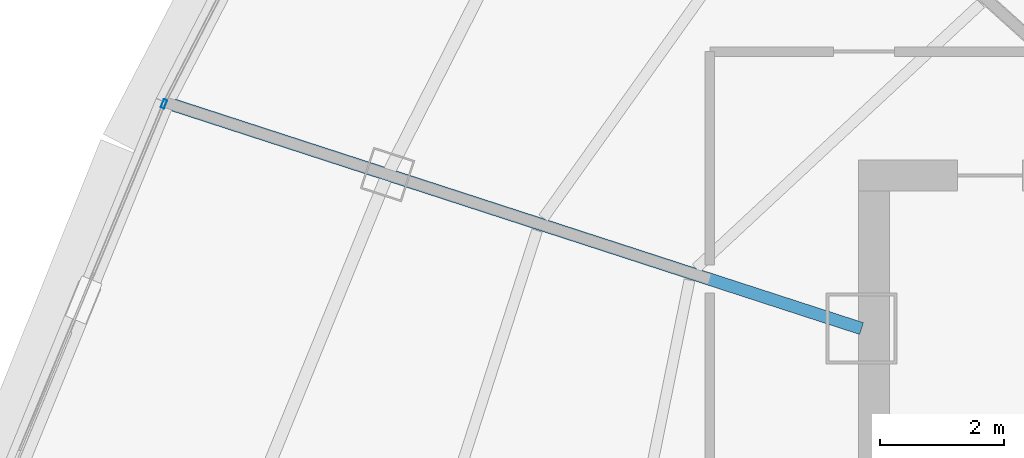
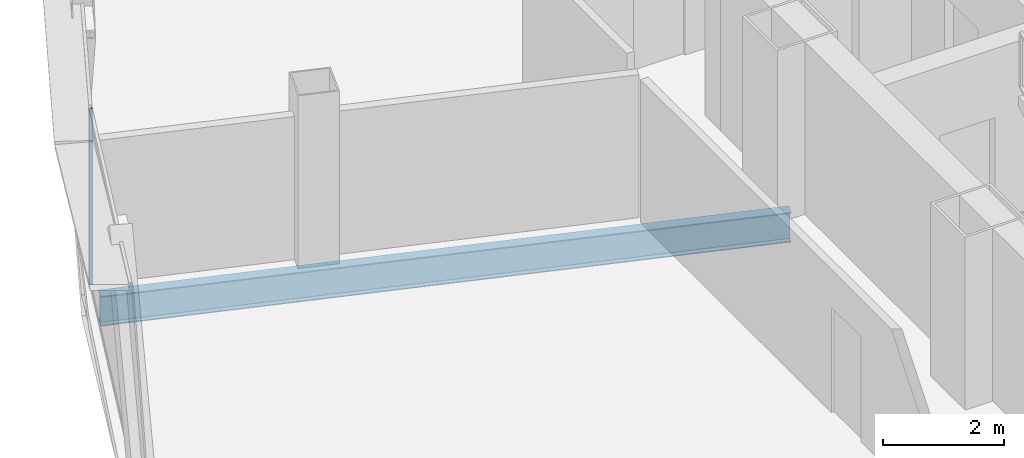
# One storey, part 8 of 33: 1 beam, 1 member, 1 element without a shape of its own.
"""IFC4 building model written with IfcOpenShell, lengths in metres."""

from ifc_helpers import new_model, si_unit, direction, frame, origin, origin_2d, place, context, subcontext, project, spatial, hollow_rectangle, i_section, extrude, source, transform, mapped, material, layer, layer_set, material_profile, profile_set, type_object, element, aggregate, save


model = new_model("IFC4")

# Units and contexts
model_context = context("Model", 3, precision=1e-05, world=origin(), true_north=direction((0.0, 1.0)))
body_context = subcontext(model_context, "Body", "Model", "MODEL_VIEW")
ifc_project = project(units=[si_unit("LENGTHUNIT", "METRE"), si_unit("AREAUNIT", "SQUARE_METRE"), si_unit("VOLUMEUNIT", "CUBIC_METRE"), si_unit("PLANEANGLEUNIT", "RADIAN"), si_unit("MASSUNIT", "GRAM", prefix="KILO"), si_unit("THERMODYNAMICTEMPERATUREUNIT", "KELVIN"), si_unit("POWERUNIT", "WATT")], contexts=[model_context])

# Site, building, storey
site_placement = place(None, origin())
site = spatial("IfcSite", under=ifc_project, at=site_placement, CompositionType="ELEMENT")
building_placement = place(site_placement, origin())
building = spatial("IfcBuilding", under=site, at=building_placement, Name="Yunzhuo Pagoda Commons", CompositionType="ELEMENT")
storey_placement = place(building_placement, frame((0.0, 0.0, 329.260009765625)))
storey = spatial("IfcBuildingStorey", under=building, at=storey_placement, Name="L82", CompositionType="ELEMENT", Elevation=329.260009765625)

# Beam
ifc_material_1 = material(Name="Structural steel Q355B", Category="steel")
ifc_material_profile_1 = material_profile(ifc_material_1, i_section(OverallWidth=0.199951171875, OverallDepth=0.60009765625, WebThickness=0.010986328125, FlangeThickness=0.01708984375, at=origin_2d()), Name="Structural steel Q355B")
ifc_profile_set_1 = profile_set([ifc_material_profile_1], Name="Structural steel Q355B")
beam_type = type_object("IfcBeamType", Name="B-RG3 Beam HN 600x200x11x17", PredefinedType="BEAM", material=ifc_profile_set_1)
shared_shape_1 = source(origin(), body_context, "Body", "SweptSolid", [
    extrude(i_section(OverallWidth=0.199951171875, OverallDepth=0.60009765625, WebThickness=0.010986328125, FlangeThickness=0.01708984375, at=origin_2d()), origin(), (0.0, 0.0, 1.0), 11.67578125),
])
beam_placement = place(storey_placement, frame((24.495849609375, 41.3369140625, -0.56005859375), z_axis=(0.951058498421, -0.309010893953, 0.0), x_axis=(0.309010893953, 0.951058498421, 0.0)))
element("IfcBeam", 1, at=beam_placement, inside=storey, type_object=beam_type, Name="L82 radial floor girder F3C3", PredefinedType="BEAM", context=body_context, shape_type="MappedRepresentation", body=[
    mapped(shared_shape_1, transform((0.0, 0.0, 0.0), scale=1.0)),
])

# Curtain wall, member
ifc_material_2 = material(Name="Anodized aluminium 6063-T6", Category="aluminium")
ifc_layer = layer(ifc_material_2, 0.139892578125)
ifc_layer_set = layer_set([ifc_layer], Name="Anodized aluminium 6063-T6")
curtain_wall_type = type_object("IfcCurtainWallType", Name="CW-HI High-Zone Ribbon Curtain Wall", PredefinedType="NOTDEFINED", material=ifc_layer_set)
curtain_wall_placement = place(storey_placement, origin())
curtain_wall = element("IfcCurtainWall", 2, at=curtain_wall_placement, inside=storey, type_object=curtain_wall_type, Name="L82 curtain wall CW-L82-F3B4", PredefinedType="NOTDEFINED")
ifc_material_profile_2 = material_profile(ifc_material_2, hollow_rectangle(XDim=0.06005859375, YDim=0.139892578125, WallThickness=0.00341796875, at=origin_2d()), Name="Anodized aluminium 6063-T6")
ifc_profile_set_2 = profile_set([ifc_material_profile_2], Name="Anodized aluminium 6063-T6")
member_type = type_object("IfcMemberType", Name="CW-HI-M Mullion RHS 140x60x3.5", PredefinedType="MULLION", material=ifc_profile_set_2)
shared_shape_2 = source(origin(), body_context, "Body", "SweptSolid", [
    extrude(hollow_rectangle(XDim=0.06005859375, YDim=0.139892578125, WallThickness=0.00341796875, at=origin_2d()), origin(), (0.0, 0.0, 1.0), 3.489990234375),
])
member_placement = place(storey_placement, frame((24.336669921875, 41.357177734375, 0.0), z_axis=(0.0, 0.0, 1.0), x_axis=(0.923407166951, -0.383821838909, 0.0)))
member = element("IfcMember", 3, at=member_placement, type_object=member_type, Name="CW mullion 1", PredefinedType="MULLION", context=body_context, shape_type="MappedRepresentation", body=[
    mapped(shared_shape_2, transform((0.0, 0.0, 0.0), scale=1.0)),
])
aggregate(curtain_wall, [member])

save(model, "model.ifc")
